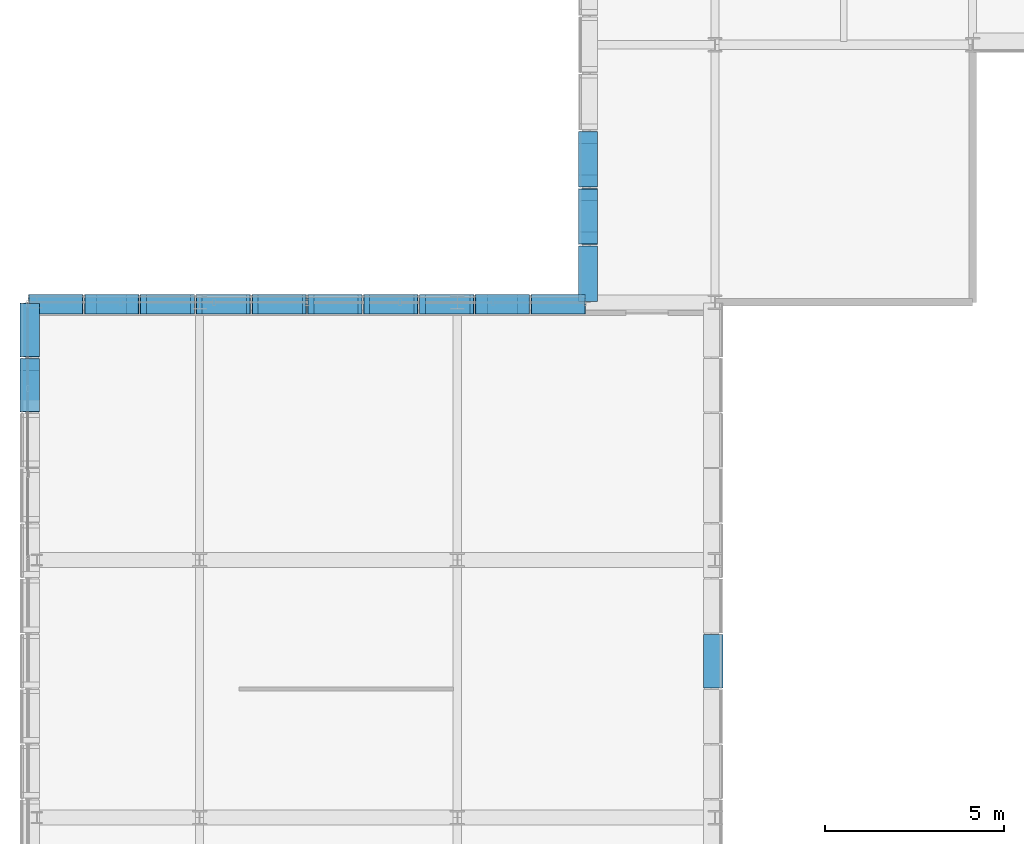
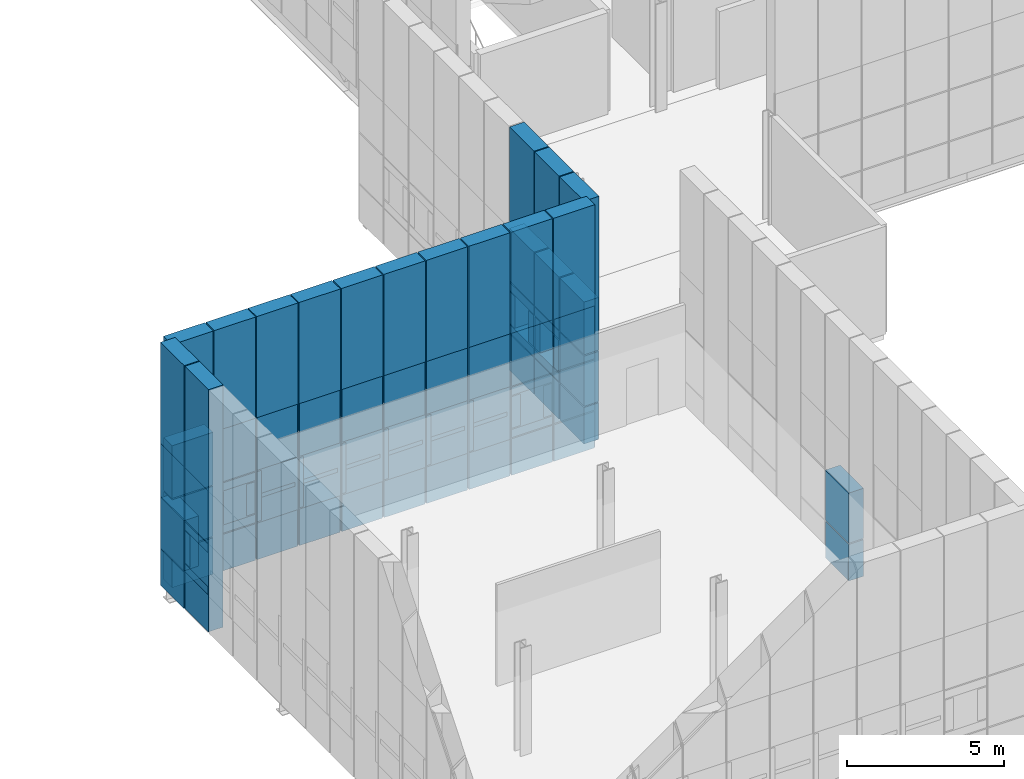
# One storey, part 110 of 144: 81 discrete accessories.
"""IFC4 building model written with IfcOpenShell, lengths in metres."""

from ifc_helpers import new_model, si_unit, direction, frame, origin, origin_2d, place, context, subcontext, project, spatial, rectangle, extrude, material, type_object, element, save


model = new_model("IFC4")

# Units and contexts
model_context = context("Model", 3, precision=1e-05, world=origin(), true_north=direction((0.0, 1.0)))
body_context = subcontext(model_context, "Body", "Model", "MODEL_VIEW")
ifc_project = project(units=[si_unit("LENGTHUNIT", "METRE"), si_unit("AREAUNIT", "SQUARE_METRE"), si_unit("VOLUMEUNIT", "CUBIC_METRE"), si_unit("PLANEANGLEUNIT", "RADIAN"), si_unit("MASSUNIT", "GRAM", prefix="KILO")], contexts=[model_context])

# Site, building, storey
site_placement = place(None, origin())
site = spatial("IfcSite", under=ifc_project, at=site_placement, CompositionType="ELEMENT")
building_placement = place(site_placement, origin())
building = spatial("IfcBuilding", under=site, at=building_placement, Name="Yarey Park Central Fire Station", CompositionType="ELEMENT")
storey_placement = place(building_placement, frame((0.0, 0.0, 10.199951171875)))
storey = spatial("IfcBuildingStorey", under=building, at=storey_placement, Name="L03", CompositionType="ELEMENT", Elevation=10.199951171875)

# Discrete accessories
ifc_material = material(Name="Stainless Steel AISI 316L", Category="steel")
discrete_accessory_type = type_object("IfcDiscreteAccessoryType", Name="ENV_BRK_SS1", PredefinedType="BRACKET", material=ifc_material)
for number, where, z_axis, x_axis, name in (
    (1, (9.64990234375, 40.8857421875, 0.97021484375), (0.0, 0.0, 1.0), (1.0, 0.0, 0.0), "BRK_PERF_L03_0088"),
    (2, (9.64990234375, 40.8857421875, 2.60986328125), (0.0, 0.0, 1.0), (1.0, 0.0, 0.0), "BRK_PERF_L03_0089"),
):
    element("IfcDiscreteAccessory", number, at=place(storey_placement, frame(where, z_axis=z_axis, x_axis=x_axis)), inside=storey, type_object=discrete_accessory_type, Name=name, PredefinedType="BRACKET", context=body_context, shape_type="SweptSolid", body=[
        extrude(rectangle(XDim=0.5400390625, YDim=1.48291015625, at=origin_2d()), origin(), (0.0, 0.0, 1.0), 0.320068359375),
    ])
discrete_accessory_1_placement = place(storey_placement, frame((9.64990234375, 41.45703125, 1.3349609375), z_axis=(0.0, 0.0, 1.0), x_axis=(1.0, 0.0, 0.0)))
element("IfcDiscreteAccessory", 3, at=discrete_accessory_1_placement, inside=storey, type_object=discrete_accessory_type, Name="BRK_PERF_L03_0091", PredefinedType="BRACKET", context=body_context, shape_type="SweptSolid", body=[
    extrude(rectangle(XDim=0.5400390625, YDim=0.320068359375, at=origin_2d()), origin(), (0.0, 0.0, 1.0), 1.22998046875),
])
discrete_accessory_2_placement = place(storey_placement, frame((9.64990234375, 40.8857421875, 2.97509765625), z_axis=(0.0, 0.0, 1.0), x_axis=(1.0, 0.0, 0.0)))
element("IfcDiscreteAccessory", 4, at=discrete_accessory_2_placement, inside=storey, type_object=discrete_accessory_type, Name="BRK_PERF_L03_0092", PredefinedType="BRACKET", context=body_context, shape_type="SweptSolid", body=[
    extrude(rectangle(XDim=0.5400390625, YDim=1.48291015625, at=origin_2d()), origin(), (0.0, 0.0, 1.0), 2.050048828125),
])
discrete_accessory_3_placement = place(storey_placement, frame((9.64990234375, 40.8857421875, -0.4599609375), z_axis=(0.0, 0.0, 1.0), x_axis=(1.0, 0.0, 0.0)))
element("IfcDiscreteAccessory", 5, at=discrete_accessory_3_placement, inside=storey, type_object=discrete_accessory_type, Name="BRK_RAIL_L03_0097", PredefinedType="BRACKET", context=body_context, shape_type="SweptSolid", body=[
    extrude(rectangle(XDim=0.5400390625, YDim=1.5029296875, at=origin_2d()), origin(), (0.0, 0.0, 1.0), 9.419921875),
])
discrete_accessory_4_placement = place(storey_placement, frame((9.64990234375, 42.4287109375, -0.494873046875), z_axis=(0.0, 0.0, 1.0), x_axis=(1.0, 0.0, 0.0)))
element("IfcDiscreteAccessory", 6, at=discrete_accessory_4_placement, inside=storey, type_object=discrete_accessory_type, Name="BRK_PERF_L03_0098", PredefinedType="BRACKET", context=body_context, shape_type="SweptSolid", body=[
    extrude(rectangle(XDim=0.5400390625, YDim=1.48291015625, at=origin_2d()), origin(), (0.0, 0.0, 1.0), 1.419921875),
])
discrete_accessory_5_placement = place(storey_placement, frame((9.64990234375, 42.4287109375, 0.97509765625), z_axis=(0.0, 0.0, 1.0), x_axis=(1.0, 0.0, 0.0)))
element("IfcDiscreteAccessory", 7, at=discrete_accessory_5_placement, inside=storey, type_object=discrete_accessory_type, Name="BRK_PERF_L03_0099", PredefinedType="BRACKET", context=body_context, shape_type="SweptSolid", body=[
    extrude(rectangle(XDim=0.5400390625, YDim=1.48291015625, at=origin_2d()), origin(), (0.0, 0.0, 1.0), 1.949951171875),
])
discrete_accessory_6_placement = place(storey_placement, frame((9.64990234375, 42.4287109375, 2.97509765625), z_axis=(0.0, 0.0, 1.0), x_axis=(1.0, 0.0, 0.0)))
element("IfcDiscreteAccessory", 8, at=discrete_accessory_6_placement, inside=storey, type_object=discrete_accessory_type, Name="BRK_PERF_L03_0100", PredefinedType="BRACKET", context=body_context, shape_type="SweptSolid", body=[
    extrude(rectangle(XDim=0.5400390625, YDim=1.48291015625, at=origin_2d()), origin(), (0.0, 0.0, 1.0), 2.050048828125),
])
discrete_accessory_7_placement = place(storey_placement, frame((9.64990234375, 42.4287109375, -0.4599609375), z_axis=(0.0, 0.0, 1.0), x_axis=(1.0, 0.0, 0.0)))
element("IfcDiscreteAccessory", 9, at=discrete_accessory_7_placement, inside=storey, type_object=discrete_accessory_type, Name="BRK_RAIL_L03_0102", PredefinedType="BRACKET", context=body_context, shape_type="SweptSolid", body=[
    extrude(rectangle(XDim=0.5400390625, YDim=1.5029296875, at=origin_2d()), origin(), (0.0, 0.0, 1.0), 9.419921875),
])
discrete_accessory_8_placement = place(storey_placement, frame((10.3798828125, 43.14990234375, -0.494873046875), z_axis=(0.0, 0.0, 1.0), x_axis=(1.0, 0.0, 0.0)))
element("IfcDiscreteAccessory", 10, at=discrete_accessory_8_placement, inside=storey, type_object=discrete_accessory_type, Name="BRK_PERF_L03_0191", PredefinedType="BRACKET", context=body_context, shape_type="SweptSolid", body=[
    extrude(rectangle(XDim=1.5, YDim=0.5400390625, at=origin_2d()), origin(), (0.0, 0.0, 1.0), 1.419921875),
])
discrete_accessory_9_placement = place(storey_placement, frame((10.3798828125, 43.14990234375, 0.97509765625), z_axis=(0.0, 0.0, 1.0), x_axis=(1.0, 0.0, 0.0)))
element("IfcDiscreteAccessory", 11, at=discrete_accessory_9_placement, inside=storey, type_object=discrete_accessory_type, Name="BRK_PERF_L03_0192", PredefinedType="BRACKET", context=body_context, shape_type="SweptSolid", body=[
    extrude(rectangle(XDim=1.5, YDim=0.5400390625, at=origin_2d()), origin(), (0.0, 0.0, 1.0), 1.949951171875),
])
discrete_accessory_10_placement = place(storey_placement, frame((10.3798828125, 43.14990234375, 2.97509765625), z_axis=(0.0, 0.0, 1.0), x_axis=(1.0, 0.0, 0.0)))
element("IfcDiscreteAccessory", 12, at=discrete_accessory_10_placement, inside=storey, type_object=discrete_accessory_type, Name="BRK_PERF_L03_0193", PredefinedType="BRACKET", context=body_context, shape_type="SweptSolid", body=[
    extrude(rectangle(XDim=1.5, YDim=0.5400390625, at=origin_2d()), origin(), (0.0, 0.0, 1.0), 2.050048828125),
])
discrete_accessory_11_placement = place(storey_placement, frame((10.3798828125, 43.14990234375, -0.4599609375), z_axis=(0.0, 0.0, 1.0), x_axis=(1.0, 0.0, 0.0)))
element("IfcDiscreteAccessory", 13, at=discrete_accessory_11_placement, inside=storey, type_object=discrete_accessory_type, Name="BRK_RAIL_L03_0195", PredefinedType="BRACKET", context=body_context, shape_type="SweptSolid", body=[
    extrude(rectangle(XDim=1.52001953125, YDim=0.5400390625, at=origin_2d()), origin(), (0.0, 0.0, 1.0), 9.419921875),
])
discrete_accessory_12_placement = place(storey_placement, frame((11.93994140625, 43.14990234375, -0.494873046875), z_axis=(0.0, 0.0, 1.0), x_axis=(1.0, 0.0, 0.0)))
element("IfcDiscreteAccessory", 14, at=discrete_accessory_12_placement, inside=storey, type_object=discrete_accessory_type, Name="BRK_PERF_L03_0196", PredefinedType="BRACKET", context=body_context, shape_type="SweptSolid", body=[
    extrude(rectangle(XDim=1.5, YDim=0.5400390625, at=origin_2d()), origin(), (0.0, 0.0, 1.0), 1.419921875),
])
for number, where, z_axis, x_axis, name in (
    (15, (11.93994140625, 43.14990234375, 0.97021484375), (0.0, 0.0, 1.0), (1.0, 0.0, 0.0), "BRK_PERF_L03_0197"),
    (16, (11.93994140625, 43.14990234375, 2.60986328125), (0.0, 0.0, 1.0), (1.0, 0.0, 0.0), "BRK_PERF_L03_0198"),
):
    element("IfcDiscreteAccessory", number, at=place(storey_placement, frame(where, z_axis=z_axis, x_axis=x_axis)), inside=storey, type_object=discrete_accessory_type, Name=name, PredefinedType="BRACKET", context=body_context, shape_type="SweptSolid", body=[
        extrude(rectangle(XDim=1.5, YDim=0.5400390625, at=origin_2d()), origin(), (0.0, 0.0, 1.0), 0.320068359375),
    ])
for number, where, z_axis, x_axis, name in (
    (17, (11.360107421875, 43.14990234375, 1.3349609375), (0.0, 0.0, 1.0), (1.0, 0.0, 0.0), "BRK_PERF_L03_0199"),
    (18, (12.52001953125, 43.14990234375, 1.3349609375), (0.0, 0.0, 1.0), (1.0, 0.0, 0.0), "BRK_PERF_L03_0200"),
):
    element("IfcDiscreteAccessory", number, at=place(storey_placement, frame(where, z_axis=z_axis, x_axis=x_axis)), inside=storey, type_object=discrete_accessory_type, Name=name, PredefinedType="BRACKET", context=body_context, shape_type="SweptSolid", body=[
        extrude(rectangle(XDim=0.320068359375, YDim=0.5400390625, at=origin_2d()), origin(), (0.0, 0.0, 1.0), 1.22998046875),
    ])
discrete_accessory_13_placement = place(storey_placement, frame((11.93994140625, 43.14990234375, 2.97509765625), z_axis=(0.0, 0.0, 1.0), x_axis=(1.0, 0.0, 0.0)))
element("IfcDiscreteAccessory", 19, at=discrete_accessory_13_placement, inside=storey, type_object=discrete_accessory_type, Name="BRK_PERF_L03_0201", PredefinedType="BRACKET", context=body_context, shape_type="SweptSolid", body=[
    extrude(rectangle(XDim=1.5, YDim=0.5400390625, at=origin_2d()), origin(), (0.0, 0.0, 1.0), 2.050048828125),
])
discrete_accessory_14_placement = place(storey_placement, frame((11.93994140625, 43.14990234375, -0.4599609375), z_axis=(0.0, 0.0, 1.0), x_axis=(1.0, 0.0, 0.0)))
element("IfcDiscreteAccessory", 20, at=discrete_accessory_14_placement, inside=storey, type_object=discrete_accessory_type, Name="BRK_RAIL_L03_0206", PredefinedType="BRACKET", context=body_context, shape_type="SweptSolid", body=[
    extrude(rectangle(XDim=1.52001953125, YDim=0.5400390625, at=origin_2d()), origin(), (0.0, 0.0, 1.0), 9.419921875),
])
discrete_accessory_15_placement = place(storey_placement, frame((13.5, 43.14990234375, -0.494873046875), z_axis=(0.0, 0.0, 1.0), x_axis=(1.0, 0.0, 0.0)))
element("IfcDiscreteAccessory", 21, at=discrete_accessory_15_placement, inside=storey, type_object=discrete_accessory_type, Name="BRK_PERF_L03_0207", PredefinedType="BRACKET", context=body_context, shape_type="SweptSolid", body=[
    extrude(rectangle(XDim=1.5, YDim=0.5400390625, at=origin_2d()), origin(), (0.0, 0.0, 1.0), 1.419921875),
])
discrete_accessory_16_placement = place(storey_placement, frame((12.830078125, 43.14990234375, 0.97509765625), z_axis=(0.0, 0.0, 1.0), x_axis=(1.0, 0.0, 0.0)))
element("IfcDiscreteAccessory", 22, at=discrete_accessory_16_placement, inside=storey, type_object=discrete_accessory_type, Name="BRK_PERF_L03_0208", PredefinedType="BRACKET", context=body_context, shape_type="SweptSolid", body=[
    extrude(rectangle(XDim=0.159912109375, YDim=0.5400390625, at=origin_2d()), origin(), (0.0, 0.0, 1.0), 1.949951171875),
])
discrete_accessory_17_placement = place(storey_placement, frame((13.5, 43.14990234375, 1.8701171875), z_axis=(0.0, 0.0, 1.0), x_axis=(1.0, 0.0, 0.0)))
element("IfcDiscreteAccessory", 23, at=discrete_accessory_17_placement, inside=storey, type_object=discrete_accessory_type, Name="BRK_PERF_L03_0209", PredefinedType="BRACKET", context=body_context, shape_type="SweptSolid", body=[
    extrude(rectangle(XDim=1.300048828125, YDim=0.5400390625, at=origin_2d()), origin(), (0.0, 0.0, 1.0), 0.159912109375),
])
discrete_accessory_18_placement = place(storey_placement, frame((13.5, 43.14990234375, 2.97509765625), z_axis=(0.0, 0.0, 1.0), x_axis=(1.0, 0.0, 0.0)))
element("IfcDiscreteAccessory", 24, at=discrete_accessory_18_placement, inside=storey, type_object=discrete_accessory_type, Name="BRK_PERF_L03_0210", PredefinedType="BRACKET", context=body_context, shape_type="SweptSolid", body=[
    extrude(rectangle(XDim=1.5, YDim=0.5400390625, at=origin_2d()), origin(), (0.0, 0.0, 1.0), 2.050048828125),
])
discrete_accessory_19_placement = place(storey_placement, frame((13.5, 43.14990234375, -0.4599609375), z_axis=(0.0, 0.0, 1.0), x_axis=(1.0, 0.0, 0.0)))
element("IfcDiscreteAccessory", 25, at=discrete_accessory_19_placement, inside=storey, type_object=discrete_accessory_type, Name="BRK_RAIL_L03_0213", PredefinedType="BRACKET", context=body_context, shape_type="SweptSolid", body=[
    extrude(rectangle(XDim=1.52001953125, YDim=0.5400390625, at=origin_2d()), origin(), (0.0, 0.0, 1.0), 9.419921875),
])
discrete_accessory_20_placement = place(storey_placement, frame((15.06005859375, 43.14990234375, -0.494873046875), z_axis=(0.0, 0.0, 1.0), x_axis=(1.0, 0.0, 0.0)))
element("IfcDiscreteAccessory", 26, at=discrete_accessory_20_placement, inside=storey, type_object=discrete_accessory_type, Name="BRK_PERF_L03_0214", PredefinedType="BRACKET", context=body_context, shape_type="SweptSolid", body=[
    extrude(rectangle(XDim=1.5, YDim=0.5400390625, at=origin_2d()), origin(), (0.0, 0.0, 1.0), 1.419921875),
])
discrete_accessory_21_placement = place(storey_placement, frame((14.389892578125, 43.14990234375, 0.97509765625), z_axis=(0.0, 0.0, 1.0), x_axis=(1.0, 0.0, 0.0)))
element("IfcDiscreteAccessory", 27, at=discrete_accessory_21_placement, inside=storey, type_object=discrete_accessory_type, Name="BRK_PERF_L03_0215", PredefinedType="BRACKET", context=body_context, shape_type="SweptSolid", body=[
    extrude(rectangle(XDim=0.159912109375, YDim=0.5400390625, at=origin_2d()), origin(), (0.0, 0.0, 1.0), 1.949951171875),
])
discrete_accessory_22_placement = place(storey_placement, frame((15.06005859375, 43.14990234375, 1.8701171875), z_axis=(0.0, 0.0, 1.0), x_axis=(1.0, 0.0, 0.0)))
element("IfcDiscreteAccessory", 28, at=discrete_accessory_22_placement, inside=storey, type_object=discrete_accessory_type, Name="BRK_PERF_L03_0216", PredefinedType="BRACKET", context=body_context, shape_type="SweptSolid", body=[
    extrude(rectangle(XDim=1.300048828125, YDim=0.5400390625, at=origin_2d()), origin(), (0.0, 0.0, 1.0), 0.159912109375),
])
discrete_accessory_23_placement = place(storey_placement, frame((15.06005859375, 43.14990234375, 2.97509765625), z_axis=(0.0, 0.0, 1.0), x_axis=(1.0, 0.0, 0.0)))
element("IfcDiscreteAccessory", 29, at=discrete_accessory_23_placement, inside=storey, type_object=discrete_accessory_type, Name="BRK_PERF_L03_0217", PredefinedType="BRACKET", context=body_context, shape_type="SweptSolid", body=[
    extrude(rectangle(XDim=1.5, YDim=0.5400390625, at=origin_2d()), origin(), (0.0, 0.0, 1.0), 2.050048828125),
])
discrete_accessory_24_placement = place(storey_placement, frame((15.06005859375, 43.14990234375, -0.4599609375), z_axis=(0.0, 0.0, 1.0), x_axis=(1.0, 0.0, 0.0)))
element("IfcDiscreteAccessory", 30, at=discrete_accessory_24_placement, inside=storey, type_object=discrete_accessory_type, Name="BRK_RAIL_L03_0220", PredefinedType="BRACKET", context=body_context, shape_type="SweptSolid", body=[
    extrude(rectangle(XDim=1.52001953125, YDim=0.5400390625, at=origin_2d()), origin(), (0.0, 0.0, 1.0), 9.419921875),
])
discrete_accessory_25_placement = place(storey_placement, frame((16.6201171875, 43.14990234375, -0.494873046875), z_axis=(0.0, 0.0, 1.0), x_axis=(1.0, 0.0, 0.0)))
element("IfcDiscreteAccessory", 31, at=discrete_accessory_25_placement, inside=storey, type_object=discrete_accessory_type, Name="BRK_PERF_L03_0221", PredefinedType="BRACKET", context=body_context, shape_type="SweptSolid", body=[
    extrude(rectangle(XDim=1.5, YDim=0.5400390625, at=origin_2d()), origin(), (0.0, 0.0, 1.0), 1.419921875),
])
discrete_accessory_26_placement = place(storey_placement, frame((15.949951171875, 43.14990234375, 0.97509765625), z_axis=(0.0, 0.0, 1.0), x_axis=(1.0, 0.0, 0.0)))
element("IfcDiscreteAccessory", 32, at=discrete_accessory_26_placement, inside=storey, type_object=discrete_accessory_type, Name="BRK_PERF_L03_0222", PredefinedType="BRACKET", context=body_context, shape_type="SweptSolid", body=[
    extrude(rectangle(XDim=0.159912109375, YDim=0.5400390625, at=origin_2d()), origin(), (0.0, 0.0, 1.0), 1.949951171875),
])
discrete_accessory_27_placement = place(storey_placement, frame((16.6201171875, 43.14990234375, 1.8701171875), z_axis=(0.0, 0.0, 1.0), x_axis=(1.0, 0.0, 0.0)))
element("IfcDiscreteAccessory", 33, at=discrete_accessory_27_placement, inside=storey, type_object=discrete_accessory_type, Name="BRK_PERF_L03_0223", PredefinedType="BRACKET", context=body_context, shape_type="SweptSolid", body=[
    extrude(rectangle(XDim=1.300048828125, YDim=0.5400390625, at=origin_2d()), origin(), (0.0, 0.0, 1.0), 0.159912109375),
])
discrete_accessory_28_placement = place(storey_placement, frame((16.6201171875, 43.14990234375, 2.97509765625), z_axis=(0.0, 0.0, 1.0), x_axis=(1.0, 0.0, 0.0)))
element("IfcDiscreteAccessory", 34, at=discrete_accessory_28_placement, inside=storey, type_object=discrete_accessory_type, Name="BRK_PERF_L03_0224", PredefinedType="BRACKET", context=body_context, shape_type="SweptSolid", body=[
    extrude(rectangle(XDim=1.5, YDim=0.5400390625, at=origin_2d()), origin(), (0.0, 0.0, 1.0), 2.050048828125),
])
discrete_accessory_29_placement = place(storey_placement, frame((16.6201171875, 43.14990234375, -0.4599609375), z_axis=(0.0, 0.0, 1.0), x_axis=(1.0, 0.0, 0.0)))
element("IfcDiscreteAccessory", 35, at=discrete_accessory_29_placement, inside=storey, type_object=discrete_accessory_type, Name="BRK_RAIL_L03_0227", PredefinedType="BRACKET", context=body_context, shape_type="SweptSolid", body=[
    extrude(rectangle(XDim=1.52001953125, YDim=0.5400390625, at=origin_2d()), origin(), (0.0, 0.0, 1.0), 9.419921875),
])
discrete_accessory_30_placement = place(storey_placement, frame((18.179931640625, 43.14990234375, -0.494873046875), z_axis=(0.0, 0.0, 1.0), x_axis=(1.0, 0.0, 0.0)))
element("IfcDiscreteAccessory", 36, at=discrete_accessory_30_placement, inside=storey, type_object=discrete_accessory_type, Name="BRK_PERF_L03_0228", PredefinedType="BRACKET", context=body_context, shape_type="SweptSolid", body=[
    extrude(rectangle(XDim=1.5, YDim=0.5400390625, at=origin_2d()), origin(), (0.0, 0.0, 1.0), 1.419921875),
])
discrete_accessory_31_placement = place(storey_placement, frame((17.510009765625, 43.14990234375, 0.97509765625), z_axis=(0.0, 0.0, 1.0), x_axis=(1.0, 0.0, 0.0)))
element("IfcDiscreteAccessory", 37, at=discrete_accessory_31_placement, inside=storey, type_object=discrete_accessory_type, Name="BRK_PERF_L03_0229", PredefinedType="BRACKET", context=body_context, shape_type="SweptSolid", body=[
    extrude(rectangle(XDim=0.159912109375, YDim=0.5400390625, at=origin_2d()), origin(), (0.0, 0.0, 1.0), 1.949951171875),
])
discrete_accessory_32_placement = place(storey_placement, frame((18.179931640625, 43.14990234375, 1.8701171875), z_axis=(0.0, 0.0, 1.0), x_axis=(1.0, 0.0, 0.0)))
element("IfcDiscreteAccessory", 38, at=discrete_accessory_32_placement, inside=storey, type_object=discrete_accessory_type, Name="BRK_PERF_L03_0230", PredefinedType="BRACKET", context=body_context, shape_type="SweptSolid", body=[
    extrude(rectangle(XDim=1.300048828125, YDim=0.5400390625, at=origin_2d()), origin(), (0.0, 0.0, 1.0), 0.159912109375),
])
discrete_accessory_33_placement = place(storey_placement, frame((18.179931640625, 43.14990234375, 2.97509765625), z_axis=(0.0, 0.0, 1.0), x_axis=(1.0, 0.0, 0.0)))
element("IfcDiscreteAccessory", 39, at=discrete_accessory_33_placement, inside=storey, type_object=discrete_accessory_type, Name="BRK_PERF_L03_0231", PredefinedType="BRACKET", context=body_context, shape_type="SweptSolid", body=[
    extrude(rectangle(XDim=1.5, YDim=0.5400390625, at=origin_2d()), origin(), (0.0, 0.0, 1.0), 2.050048828125),
])
discrete_accessory_34_placement = place(storey_placement, frame((18.179931640625, 43.14990234375, -0.4599609375), z_axis=(0.0, 0.0, 1.0), x_axis=(1.0, 0.0, 0.0)))
element("IfcDiscreteAccessory", 40, at=discrete_accessory_34_placement, inside=storey, type_object=discrete_accessory_type, Name="BRK_RAIL_L03_0234", PredefinedType="BRACKET", context=body_context, shape_type="SweptSolid", body=[
    extrude(rectangle(XDim=1.52001953125, YDim=0.5400390625, at=origin_2d()), origin(), (0.0, 0.0, 1.0), 9.419921875),
])
discrete_accessory_35_placement = place(storey_placement, frame((19.739990234375, 43.14990234375, -0.494873046875), z_axis=(0.0, 0.0, 1.0), x_axis=(1.0, 0.0, 0.0)))
element("IfcDiscreteAccessory", 41, at=discrete_accessory_35_placement, inside=storey, type_object=discrete_accessory_type, Name="BRK_PERF_L03_0235", PredefinedType="BRACKET", context=body_context, shape_type="SweptSolid", body=[
    extrude(rectangle(XDim=1.5, YDim=0.5400390625, at=origin_2d()), origin(), (0.0, 0.0, 1.0), 1.419921875),
])
discrete_accessory_36_placement = place(storey_placement, frame((19.070068359375, 43.14990234375, 0.97509765625), z_axis=(0.0, 0.0, 1.0), x_axis=(1.0, 0.0, 0.0)))
element("IfcDiscreteAccessory", 42, at=discrete_accessory_36_placement, inside=storey, type_object=discrete_accessory_type, Name="BRK_PERF_L03_0236", PredefinedType="BRACKET", context=body_context, shape_type="SweptSolid", body=[
    extrude(rectangle(XDim=0.159912109375, YDim=0.5400390625, at=origin_2d()), origin(), (0.0, 0.0, 1.0), 1.949951171875),
])
discrete_accessory_37_placement = place(storey_placement, frame((19.739990234375, 43.14990234375, 1.8701171875), z_axis=(0.0, 0.0, 1.0), x_axis=(1.0, 0.0, 0.0)))
element("IfcDiscreteAccessory", 43, at=discrete_accessory_37_placement, inside=storey, type_object=discrete_accessory_type, Name="BRK_PERF_L03_0237", PredefinedType="BRACKET", context=body_context, shape_type="SweptSolid", body=[
    extrude(rectangle(XDim=1.300048828125, YDim=0.5400390625, at=origin_2d()), origin(), (0.0, 0.0, 1.0), 0.159912109375),
])
discrete_accessory_38_placement = place(storey_placement, frame((19.739990234375, 43.14990234375, 2.97509765625), z_axis=(0.0, 0.0, 1.0), x_axis=(1.0, 0.0, 0.0)))
element("IfcDiscreteAccessory", 44, at=discrete_accessory_38_placement, inside=storey, type_object=discrete_accessory_type, Name="BRK_PERF_L03_0238", PredefinedType="BRACKET", context=body_context, shape_type="SweptSolid", body=[
    extrude(rectangle(XDim=1.5, YDim=0.5400390625, at=origin_2d()), origin(), (0.0, 0.0, 1.0), 2.050048828125),
])
discrete_accessory_39_placement = place(storey_placement, frame((19.739990234375, 43.14990234375, -0.4599609375), z_axis=(0.0, 0.0, 1.0), x_axis=(1.0, 0.0, 0.0)))
element("IfcDiscreteAccessory", 45, at=discrete_accessory_39_placement, inside=storey, type_object=discrete_accessory_type, Name="BRK_RAIL_L03_0241", PredefinedType="BRACKET", context=body_context, shape_type="SweptSolid", body=[
    extrude(rectangle(XDim=1.52001953125, YDim=0.5400390625, at=origin_2d()), origin(), (0.0, 0.0, 1.0), 9.419921875),
])
discrete_accessory_40_placement = place(storey_placement, frame((21.300048828125, 43.14990234375, -0.494873046875), z_axis=(0.0, 0.0, 1.0), x_axis=(1.0, 0.0, 0.0)))
element("IfcDiscreteAccessory", 46, at=discrete_accessory_40_placement, inside=storey, type_object=discrete_accessory_type, Name="BRK_PERF_L03_0242", PredefinedType="BRACKET", context=body_context, shape_type="SweptSolid", body=[
    extrude(rectangle(XDim=1.5, YDim=0.5400390625, at=origin_2d()), origin(), (0.0, 0.0, 1.0), 1.419921875),
])
discrete_accessory_41_placement = place(storey_placement, frame((20.6298828125, 43.14990234375, 0.97509765625), z_axis=(0.0, 0.0, 1.0), x_axis=(1.0, 0.0, 0.0)))
element("IfcDiscreteAccessory", 47, at=discrete_accessory_41_placement, inside=storey, type_object=discrete_accessory_type, Name="BRK_PERF_L03_0243", PredefinedType="BRACKET", context=body_context, shape_type="SweptSolid", body=[
    extrude(rectangle(XDim=0.159912109375, YDim=0.5400390625, at=origin_2d()), origin(), (0.0, 0.0, 1.0), 1.949951171875),
])
discrete_accessory_42_placement = place(storey_placement, frame((21.300048828125, 43.14990234375, 1.8701171875), z_axis=(0.0, 0.0, 1.0), x_axis=(1.0, 0.0, 0.0)))
element("IfcDiscreteAccessory", 48, at=discrete_accessory_42_placement, inside=storey, type_object=discrete_accessory_type, Name="BRK_PERF_L03_0244", PredefinedType="BRACKET", context=body_context, shape_type="SweptSolid", body=[
    extrude(rectangle(XDim=1.300048828125, YDim=0.5400390625, at=origin_2d()), origin(), (0.0, 0.0, 1.0), 0.159912109375),
])
discrete_accessory_43_placement = place(storey_placement, frame((21.300048828125, 43.14990234375, 2.97509765625), z_axis=(0.0, 0.0, 1.0), x_axis=(1.0, 0.0, 0.0)))
element("IfcDiscreteAccessory", 49, at=discrete_accessory_43_placement, inside=storey, type_object=discrete_accessory_type, Name="BRK_PERF_L03_0245", PredefinedType="BRACKET", context=body_context, shape_type="SweptSolid", body=[
    extrude(rectangle(XDim=1.5, YDim=0.5400390625, at=origin_2d()), origin(), (0.0, 0.0, 1.0), 2.050048828125),
])
discrete_accessory_44_placement = place(storey_placement, frame((21.300048828125, 43.14990234375, -0.4599609375), z_axis=(0.0, 0.0, 1.0), x_axis=(1.0, 0.0, 0.0)))
element("IfcDiscreteAccessory", 50, at=discrete_accessory_44_placement, inside=storey, type_object=discrete_accessory_type, Name="BRK_RAIL_L03_0248", PredefinedType="BRACKET", context=body_context, shape_type="SweptSolid", body=[
    extrude(rectangle(XDim=1.52001953125, YDim=0.5400390625, at=origin_2d()), origin(), (0.0, 0.0, 1.0), 9.419921875),
])
discrete_accessory_45_placement = place(storey_placement, frame((22.860107421875, 43.14990234375, -0.494873046875), z_axis=(0.0, 0.0, 1.0), x_axis=(1.0, 0.0, 0.0)))
element("IfcDiscreteAccessory", 51, at=discrete_accessory_45_placement, inside=storey, type_object=discrete_accessory_type, Name="BRK_PERF_L03_0249", PredefinedType="BRACKET", context=body_context, shape_type="SweptSolid", body=[
    extrude(rectangle(XDim=1.5, YDim=0.5400390625, at=origin_2d()), origin(), (0.0, 0.0, 1.0), 1.419921875),
])
for number, where, z_axis, x_axis, name in (
    (52, (22.860107421875, 43.14990234375, 0.97021484375), (0.0, 0.0, 1.0), (1.0, 0.0, 0.0), "BRK_PERF_L03_0250"),
    (53, (22.860107421875, 43.14990234375, 2.60986328125), (0.0, 0.0, 1.0), (1.0, 0.0, 0.0), "BRK_PERF_L03_0251"),
):
    element("IfcDiscreteAccessory", number, at=place(storey_placement, frame(where, z_axis=z_axis, x_axis=x_axis)), inside=storey, type_object=discrete_accessory_type, Name=name, PredefinedType="BRACKET", context=body_context, shape_type="SweptSolid", body=[
        extrude(rectangle(XDim=1.5, YDim=0.5400390625, at=origin_2d()), origin(), (0.0, 0.0, 1.0), 0.320068359375),
    ])
for number, where, z_axis, x_axis, name in (
    (54, (22.280029296875, 43.14990234375, 1.3349609375), (0.0, 0.0, 1.0), (1.0, 0.0, 0.0), "BRK_PERF_L03_0252"),
    (55, (23.43994140625, 43.14990234375, 1.3349609375), (0.0, 0.0, 1.0), (1.0, 0.0, 0.0), "BRK_PERF_L03_0253"),
):
    element("IfcDiscreteAccessory", number, at=place(storey_placement, frame(where, z_axis=z_axis, x_axis=x_axis)), inside=storey, type_object=discrete_accessory_type, Name=name, PredefinedType="BRACKET", context=body_context, shape_type="SweptSolid", body=[
        extrude(rectangle(XDim=0.320068359375, YDim=0.5400390625, at=origin_2d()), origin(), (0.0, 0.0, 1.0), 1.22998046875),
    ])
discrete_accessory_46_placement = place(storey_placement, frame((22.860107421875, 43.14990234375, 2.97509765625), z_axis=(0.0, 0.0, 1.0), x_axis=(1.0, 0.0, 0.0)))
element("IfcDiscreteAccessory", 56, at=discrete_accessory_46_placement, inside=storey, type_object=discrete_accessory_type, Name="BRK_PERF_L03_0254", PredefinedType="BRACKET", context=body_context, shape_type="SweptSolid", body=[
    extrude(rectangle(XDim=1.5, YDim=0.5400390625, at=origin_2d()), origin(), (0.0, 0.0, 1.0), 2.050048828125),
])
discrete_accessory_47_placement = place(storey_placement, frame((22.860107421875, 43.14990234375, -0.4599609375), z_axis=(0.0, 0.0, 1.0), x_axis=(1.0, 0.0, 0.0)))
element("IfcDiscreteAccessory", 57, at=discrete_accessory_47_placement, inside=storey, type_object=discrete_accessory_type, Name="BRK_RAIL_L03_0259", PredefinedType="BRACKET", context=body_context, shape_type="SweptSolid", body=[
    extrude(rectangle(XDim=1.52001953125, YDim=0.5400390625, at=origin_2d()), origin(), (0.0, 0.0, 1.0), 9.419921875),
])
discrete_accessory_48_placement = place(storey_placement, frame((24.419921875, 43.14990234375, -0.494873046875), z_axis=(0.0, 0.0, 1.0), x_axis=(1.0, 0.0, 0.0)))
element("IfcDiscreteAccessory", 58, at=discrete_accessory_48_placement, inside=storey, type_object=discrete_accessory_type, Name="BRK_PERF_L03_0260", PredefinedType="BRACKET", context=body_context, shape_type="SweptSolid", body=[
    extrude(rectangle(XDim=1.5, YDim=0.5400390625, at=origin_2d()), origin(), (0.0, 0.0, 1.0), 1.419921875),
])
discrete_accessory_49_placement = place(storey_placement, frame((24.419921875, 43.14990234375, 0.97509765625), z_axis=(0.0, 0.0, 1.0), x_axis=(1.0, 0.0, 0.0)))
element("IfcDiscreteAccessory", 59, at=discrete_accessory_49_placement, inside=storey, type_object=discrete_accessory_type, Name="BRK_PERF_L03_0261", PredefinedType="BRACKET", context=body_context, shape_type="SweptSolid", body=[
    extrude(rectangle(XDim=1.5, YDim=0.5400390625, at=origin_2d()), origin(), (0.0, 0.0, 1.0), 1.949951171875),
])
discrete_accessory_50_placement = place(storey_placement, frame((24.419921875, 43.14990234375, 2.97509765625), z_axis=(0.0, 0.0, 1.0), x_axis=(1.0, 0.0, 0.0)))
element("IfcDiscreteAccessory", 60, at=discrete_accessory_50_placement, inside=storey, type_object=discrete_accessory_type, Name="BRK_PERF_L03_0262", PredefinedType="BRACKET", context=body_context, shape_type="SweptSolid", body=[
    extrude(rectangle(XDim=1.5, YDim=0.5400390625, at=origin_2d()), origin(), (0.0, 0.0, 1.0), 2.050048828125),
])
discrete_accessory_51_placement = place(storey_placement, frame((24.419921875, 43.14990234375, -0.4599609375), z_axis=(0.0, 0.0, 1.0), x_axis=(1.0, 0.0, 0.0)))
element("IfcDiscreteAccessory", 61, at=discrete_accessory_51_placement, inside=storey, type_object=discrete_accessory_type, Name="BRK_RAIL_L03_0264", PredefinedType="BRACKET", context=body_context, shape_type="SweptSolid", body=[
    extrude(rectangle(XDim=1.52001953125, YDim=0.5400390625, at=origin_2d()), origin(), (0.0, 0.0, 1.0), 9.419921875),
])
discrete_accessory_52_placement = place(storey_placement, frame((25.25, 44.0, -0.494873046875), z_axis=(0.0, 0.0, 1.0), x_axis=(1.0, 0.0, 0.0)))
element("IfcDiscreteAccessory", 62, at=discrete_accessory_52_placement, inside=storey, type_object=discrete_accessory_type, Name="BRK_PERF_L03_0526", PredefinedType="BRACKET", context=body_context, shape_type="SweptSolid", body=[
    extrude(rectangle(XDim=0.5400390625, YDim=1.5400390625, at=origin_2d()), origin(), (0.0, 0.0, 1.0), 1.419921875),
])
discrete_accessory_53_placement = place(storey_placement, frame((25.25, 44.0, 0.97509765625), z_axis=(0.0, 0.0, 1.0), x_axis=(1.0, 0.0, 0.0)))
element("IfcDiscreteAccessory", 63, at=discrete_accessory_53_placement, inside=storey, type_object=discrete_accessory_type, Name="BRK_PERF_L03_0527", PredefinedType="BRACKET", context=body_context, shape_type="SweptSolid", body=[
    extrude(rectangle(XDim=0.5400390625, YDim=1.5400390625, at=origin_2d()), origin(), (0.0, 0.0, 1.0), 1.949951171875),
])
discrete_accessory_54_placement = place(storey_placement, frame((25.25, 44.0, 2.97509765625), z_axis=(0.0, 0.0, 1.0), x_axis=(1.0, 0.0, 0.0)))
element("IfcDiscreteAccessory", 64, at=discrete_accessory_54_placement, inside=storey, type_object=discrete_accessory_type, Name="BRK_PERF_L03_0528", PredefinedType="BRACKET", context=body_context, shape_type="SweptSolid", body=[
    extrude(rectangle(XDim=0.5400390625, YDim=1.5400390625, at=origin_2d()), origin(), (0.0, 0.0, 1.0), 2.050048828125),
])
discrete_accessory_55_placement = place(storey_placement, frame((25.25, 44.0, -0.4599609375), z_axis=(0.0, 0.0, 1.0), x_axis=(1.0, 0.0, 0.0)))
element("IfcDiscreteAccessory", 65, at=discrete_accessory_55_placement, inside=storey, type_object=discrete_accessory_type, Name="BRK_RAIL_L03_0530", PredefinedType="BRACKET", context=body_context, shape_type="SweptSolid", body=[
    extrude(rectangle(XDim=0.5400390625, YDim=1.56005859375, at=origin_2d()), origin(), (0.0, 0.0, 1.0), 9.419921875),
])
discrete_accessory_56_placement = place(storey_placement, frame((25.25, 45.60009765625, -0.494873046875), z_axis=(0.0, 0.0, 1.0), x_axis=(1.0, 0.0, 0.0)))
element("IfcDiscreteAccessory", 66, at=discrete_accessory_56_placement, inside=storey, type_object=discrete_accessory_type, Name="BRK_PERF_L03_0531", PredefinedType="BRACKET", context=body_context, shape_type="SweptSolid", body=[
    extrude(rectangle(XDim=0.5400390625, YDim=1.5400390625, at=origin_2d()), origin(), (0.0, 0.0, 1.0), 1.419921875),
])
for number, where, z_axis, x_axis, name in (
    (67, (25.25, 45.60009765625, 0.97021484375), (0.0, 0.0, 1.0), (1.0, 0.0, 0.0), "BRK_PERF_L03_0532"),
    (68, (25.25, 45.60009765625, 2.60986328125), (0.0, 0.0, 1.0), (1.0, 0.0, 0.0), "BRK_PERF_L03_0533"),
):
    element("IfcDiscreteAccessory", number, at=place(storey_placement, frame(where, z_axis=z_axis, x_axis=x_axis)), inside=storey, type_object=discrete_accessory_type, Name=name, PredefinedType="BRACKET", context=body_context, shape_type="SweptSolid", body=[
        extrude(rectangle(XDim=0.5400390625, YDim=1.5400390625, at=origin_2d()), origin(), (0.0, 0.0, 1.0), 0.320068359375),
    ])
for number, where, z_axis, x_axis, name in (
    (69, (25.25, 45.0, 1.3349609375), (0.0, 0.0, 1.0), (1.0, 0.0, 0.0), "BRK_PERF_L03_0534"),
    (70, (25.25, 46.199951171875, 1.3349609375), (0.0, 0.0, 1.0), (1.0, 0.0, 0.0), "BRK_PERF_L03_0535"),
):
    element("IfcDiscreteAccessory", number, at=place(storey_placement, frame(where, z_axis=z_axis, x_axis=x_axis)), inside=storey, type_object=discrete_accessory_type, Name=name, PredefinedType="BRACKET", context=body_context, shape_type="SweptSolid", body=[
        extrude(rectangle(XDim=0.5400390625, YDim=0.320068359375, at=origin_2d()), origin(), (0.0, 0.0, 1.0), 1.22998046875),
    ])
discrete_accessory_57_placement = place(storey_placement, frame((25.25, 45.60009765625, 2.97509765625), z_axis=(0.0, 0.0, 1.0), x_axis=(1.0, 0.0, 0.0)))
element("IfcDiscreteAccessory", 71, at=discrete_accessory_57_placement, inside=storey, type_object=discrete_accessory_type, Name="BRK_PERF_L03_0536", PredefinedType="BRACKET", context=body_context, shape_type="SweptSolid", body=[
    extrude(rectangle(XDim=0.5400390625, YDim=1.5400390625, at=origin_2d()), origin(), (0.0, 0.0, 1.0), 2.050048828125),
])
discrete_accessory_58_placement = place(storey_placement, frame((25.25, 45.60009765625, -0.4599609375), z_axis=(0.0, 0.0, 1.0), x_axis=(1.0, 0.0, 0.0)))
element("IfcDiscreteAccessory", 72, at=discrete_accessory_58_placement, inside=storey, type_object=discrete_accessory_type, Name="BRK_RAIL_L03_0541", PredefinedType="BRACKET", context=body_context, shape_type="SweptSolid", body=[
    extrude(rectangle(XDim=0.5400390625, YDim=1.56005859375, at=origin_2d()), origin(), (0.0, 0.0, 1.0), 9.419921875),
])
discrete_accessory_59_placement = place(storey_placement, frame((25.25, 47.199951171875, -0.494873046875), z_axis=(0.0, 0.0, 1.0), x_axis=(1.0, 0.0, 0.0)))
element("IfcDiscreteAccessory", 73, at=discrete_accessory_59_placement, inside=storey, type_object=discrete_accessory_type, Name="BRK_PERF_L03_0542", PredefinedType="BRACKET", context=body_context, shape_type="SweptSolid", body=[
    extrude(rectangle(XDim=0.5400390625, YDim=1.5400390625, at=origin_2d()), origin(), (0.0, 0.0, 1.0), 1.419921875),
])
for number, where, z_axis, x_axis, name in (
    (74, (25.25, 47.199951171875, 0.97021484375), (0.0, 0.0, 1.0), (1.0, 0.0, 0.0), "BRK_PERF_L03_0543"),
    (75, (25.25, 47.199951171875, 2.60986328125), (0.0, 0.0, 1.0), (1.0, 0.0, 0.0), "BRK_PERF_L03_0544"),
):
    element("IfcDiscreteAccessory", number, at=place(storey_placement, frame(where, z_axis=z_axis, x_axis=x_axis)), inside=storey, type_object=discrete_accessory_type, Name=name, PredefinedType="BRACKET", context=body_context, shape_type="SweptSolid", body=[
        extrude(rectangle(XDim=0.5400390625, YDim=1.5400390625, at=origin_2d()), origin(), (0.0, 0.0, 1.0), 0.320068359375),
    ])
for number, where, z_axis, x_axis, name in (
    (76, (25.25, 46.60009765625, 1.3349609375), (0.0, 0.0, 1.0), (1.0, 0.0, 0.0), "BRK_PERF_L03_0545"),
    (77, (25.25, 47.800048828125, 1.3349609375), (0.0, 0.0, 1.0), (1.0, 0.0, 0.0), "BRK_PERF_L03_0546"),
):
    element("IfcDiscreteAccessory", number, at=place(storey_placement, frame(where, z_axis=z_axis, x_axis=x_axis)), inside=storey, type_object=discrete_accessory_type, Name=name, PredefinedType="BRACKET", context=body_context, shape_type="SweptSolid", body=[
        extrude(rectangle(XDim=0.5400390625, YDim=0.320068359375, at=origin_2d()), origin(), (0.0, 0.0, 1.0), 1.22998046875),
    ])
discrete_accessory_60_placement = place(storey_placement, frame((25.25, 47.199951171875, 2.97509765625), z_axis=(0.0, 0.0, 1.0), x_axis=(1.0, 0.0, 0.0)))
element("IfcDiscreteAccessory", 78, at=discrete_accessory_60_placement, inside=storey, type_object=discrete_accessory_type, Name="BRK_PERF_L03_0547", PredefinedType="BRACKET", context=body_context, shape_type="SweptSolid", body=[
    extrude(rectangle(XDim=0.5400390625, YDim=1.5400390625, at=origin_2d()), origin(), (0.0, 0.0, 1.0), 2.050048828125),
])
discrete_accessory_61_placement = place(storey_placement, frame((25.25, 47.199951171875, -0.4599609375), z_axis=(0.0, 0.0, 1.0), x_axis=(1.0, 0.0, 0.0)))
element("IfcDiscreteAccessory", 79, at=discrete_accessory_61_placement, inside=storey, type_object=discrete_accessory_type, Name="BRK_RAIL_L03_0552", PredefinedType="BRACKET", context=body_context, shape_type="SweptSolid", body=[
    extrude(rectangle(XDim=0.5400390625, YDim=1.56005859375, at=origin_2d()), origin(), (0.0, 0.0, 1.0), 9.419921875),
])
discrete_accessory_62_placement = place(storey_placement, frame((28.75, 33.17138671875, -0.494873046875), z_axis=(0.0, 0.0, 1.0), x_axis=(1.0, 0.0, 0.0)))
element("IfcDiscreteAccessory", 80, at=discrete_accessory_62_placement, inside=storey, type_object=discrete_accessory_type, Name="BRK_PERF_L03_0952", PredefinedType="BRACKET", context=body_context, shape_type="SweptSolid", body=[
    extrude(rectangle(XDim=0.5400390625, YDim=1.48291015625, at=origin_2d()), origin(), (0.0, 0.0, 1.0), 1.419921875),
])
discrete_accessory_63_placement = place(storey_placement, frame((28.75, 33.17138671875, 0.97509765625), z_axis=(0.0, 0.0, 1.0), x_axis=(1.0, 0.0, 0.0)))
element("IfcDiscreteAccessory", 81, at=discrete_accessory_63_placement, inside=storey, type_object=discrete_accessory_type, Name="BRK_PERF_L03_0953", PredefinedType="BRACKET", context=body_context, shape_type="SweptSolid", body=[
    extrude(rectangle(XDim=0.5400390625, YDim=1.48291015625, at=origin_2d()), origin(), (0.0, 0.0, 1.0), 1.949951171875),
])

save(model, "model.ifc")
